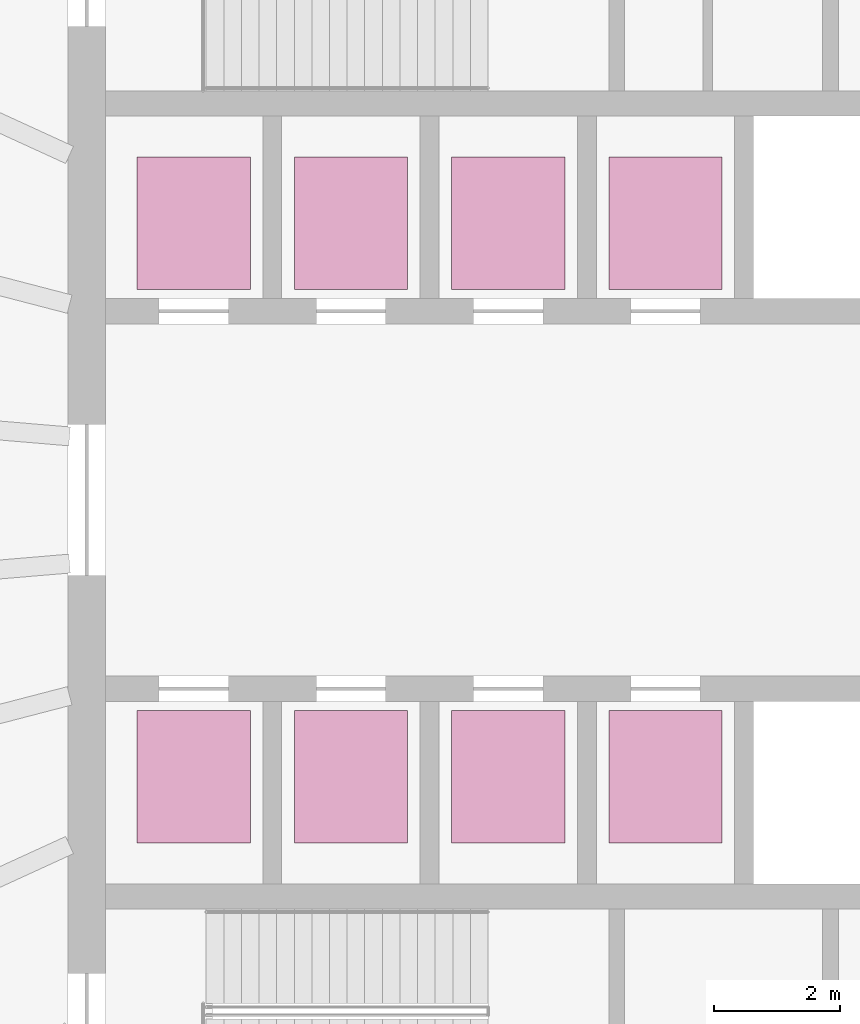
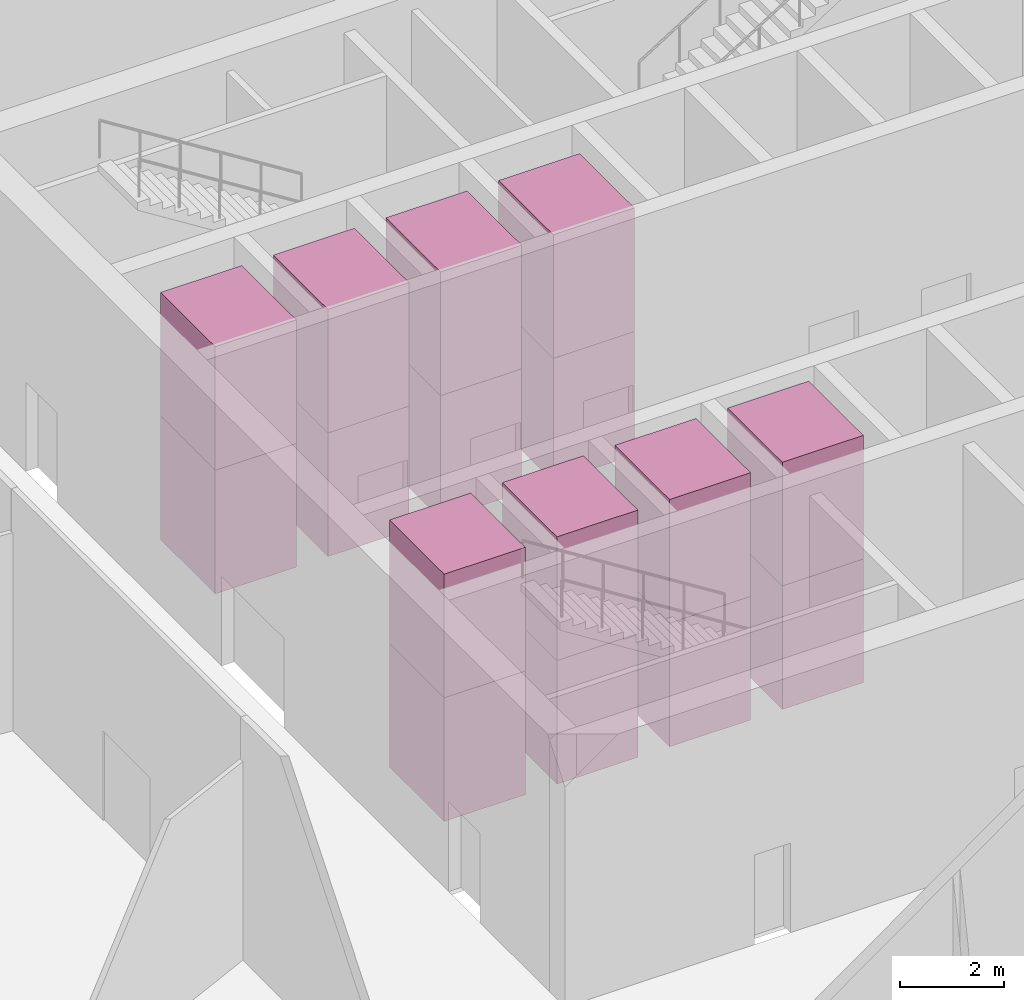
# One storey, part 19 of 19: 16 transport elements.
"""IFC4 building model written with IfcOpenShell, lengths in metres."""

from ifc_helpers import new_model, si_unit, direction, frame, origin, origin_2d, place, context, subcontext, project, spatial, rectangle, extrude, material, type_object, element, save


model = new_model("IFC4")

# Units and contexts
model_context = context("Model", 3, precision=1e-05, world=origin(), true_north=direction((0.0, 1.0)))
body_context = subcontext(model_context, "Body", "Model", "MODEL_VIEW")
ifc_project = project(units=[si_unit("LENGTHUNIT", "METRE"), si_unit("AREAUNIT", "SQUARE_METRE"), si_unit("VOLUMEUNIT", "CUBIC_METRE"), si_unit("PLANEANGLEUNIT", "RADIAN"), si_unit("MASSUNIT", "GRAM", prefix="KILO")], contexts=[model_context])

# Site, building, storey
site_placement = place(None, origin())
site = spatial("IfcSite", under=ifc_project, at=site_placement, CompositionType="ELEMENT")
building_placement = place(site_placement, origin())
building = spatial("IfcBuilding", under=site, at=building_placement, Name="Halqa Exchange Tower", CompositionType="ELEMENT")
storey_placement = place(building_placement, frame((0.0, 0.0, 167.5)))
storey = spatial("IfcBuildingStorey", under=building, at=storey_placement, Name="L38", CompositionType="ELEMENT", Elevation=167.5)

# Transport elements
ifc_material = material(Name="Stainless steel", Category="steel")
transport_element_type_1 = type_object("IfcTransportElementType", Name="High-rise passenger lift 1800 x 2100", PredefinedType="ELEVATOR", material=ifc_material)
for number, where, z_axis, x_axis, name in (
    (1, (-10.0, 4.39990234375, 0.0), (0.0, 0.0, 1.0), (1.0, 0.0, 0.0), "High-rise passenger lift HR1"),
    (2, (-10.0, 4.39990234375, 2.900146484375), (0.0, 0.0, 1.0), (1.0, 0.0, 0.0), "High-rise passenger lift HR1"),
    (3, (-7.5, 4.39990234375, 0.0), (0.0, 0.0, 1.0), (1.0, 0.0, 0.0), "High-rise passenger lift HR2"),
    (4, (-7.5, 4.39990234375, 2.900146484375), (0.0, 0.0, 1.0), (1.0, 0.0, 0.0), "High-rise passenger lift HR2"),
    (5, (-10.0, -4.39990234375, 0.0), (0.0, 0.0, 1.0), (1.0, 0.0, 0.0), "High-rise passenger lift HR3"),
    (6, (-10.0, -4.39990234375, 2.900146484375), (0.0, 0.0, 1.0), (1.0, 0.0, 0.0), "High-rise passenger lift HR3"),
    (7, (-7.5, -4.39990234375, 0.0), (0.0, 0.0, 1.0), (1.0, 0.0, 0.0), "High-rise passenger lift HR4"),
    (8, (-7.5, -4.39990234375, 2.900146484375), (0.0, 0.0, 1.0), (1.0, 0.0, 0.0), "High-rise passenger lift HR4"),
):
    element("IfcTransportElement", number, at=place(storey_placement, frame(where, z_axis=z_axis, x_axis=x_axis)), inside=storey, type_object=transport_element_type_1, Name=name, PredefinedType="ELEVATOR", context=body_context, shape_type="SweptSolid", body=[
        extrude(rectangle(XDim=1.800048828125, YDim=2.10009765625, at=origin_2d()), origin(), (0.0, 0.0, 1.0), 2.89990234375),
    ])
transport_element_type_2 = type_object("IfcTransportElementType", Name="Mid-rise passenger lift 1800 x 2100", PredefinedType="ELEVATOR", material=ifc_material)
for number, where, z_axis, x_axis, name in (
    (9, (-5.0, 4.39990234375, 0.0), (0.0, 0.0, 1.0), (1.0, 0.0, 0.0), "Mid-rise passenger lift MR1"),
    (10, (-5.0, 4.39990234375, 2.900146484375), (0.0, 0.0, 1.0), (1.0, 0.0, 0.0), "Mid-rise passenger lift MR1"),
    (11, (-2.5, 4.39990234375, 0.0), (0.0, 0.0, 1.0), (1.0, 0.0, 0.0), "Mid-rise passenger lift MR2"),
    (12, (-2.5, 4.39990234375, 2.900146484375), (0.0, 0.0, 1.0), (1.0, 0.0, 0.0), "Mid-rise passenger lift MR2"),
    (13, (-5.0, -4.39990234375, 0.0), (0.0, 0.0, 1.0), (1.0, 0.0, 0.0), "Mid-rise passenger lift MR3"),
    (14, (-5.0, -4.39990234375, 2.900146484375), (0.0, 0.0, 1.0), (1.0, 0.0, 0.0), "Mid-rise passenger lift MR3"),
    (15, (-2.5, -4.39990234375, 0.0), (0.0, 0.0, 1.0), (1.0, 0.0, 0.0), "Mid-rise passenger lift MR4"),
    (16, (-2.5, -4.39990234375, 2.900146484375), (0.0, 0.0, 1.0), (1.0, 0.0, 0.0), "Mid-rise passenger lift MR4"),
):
    element("IfcTransportElement", number, at=place(storey_placement, frame(where, z_axis=z_axis, x_axis=x_axis)), inside=storey, type_object=transport_element_type_2, Name=name, PredefinedType="ELEVATOR", context=body_context, shape_type="SweptSolid", body=[
        extrude(rectangle(XDim=1.800048828125, YDim=2.10009765625, at=origin_2d()), origin(), (0.0, 0.0, 1.0), 2.89990234375),
    ])

save(model, "model.ifc")
